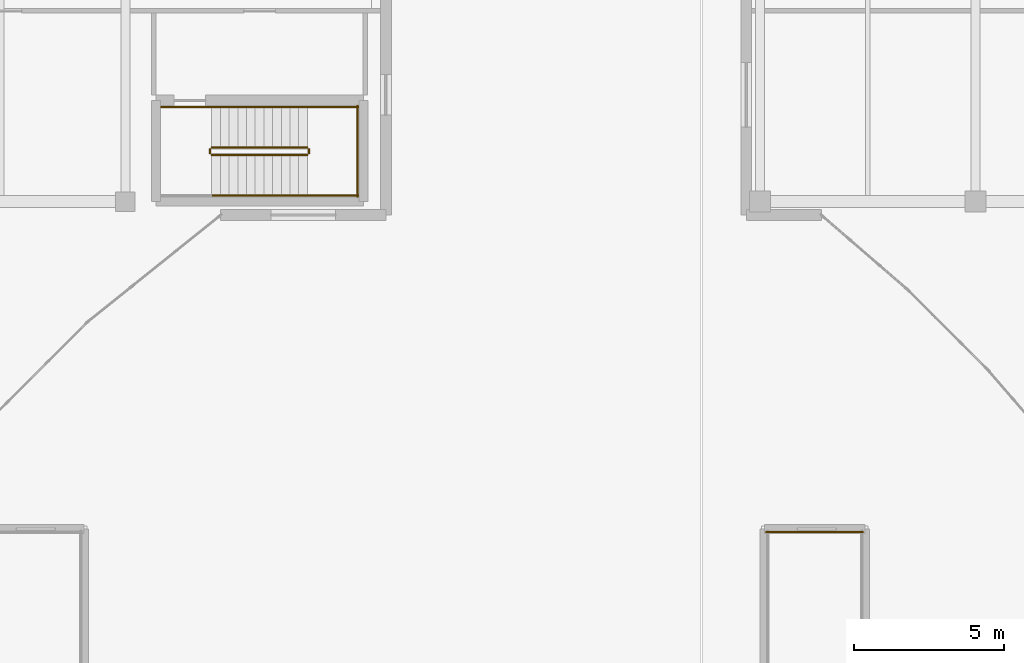
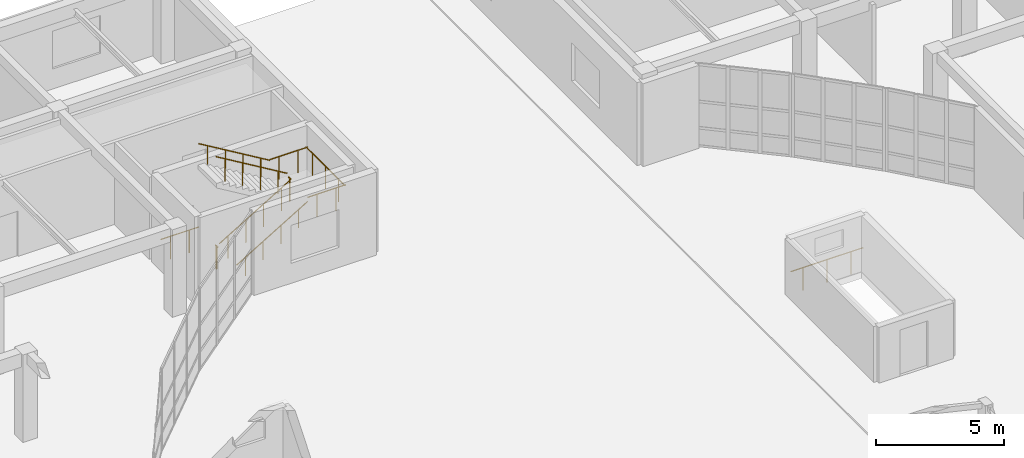
# One storey, part 103 of 114: 11 railings.
"""IFC4 building model written with IfcOpenShell, lengths in metres."""

from ifc_helpers import new_model, si_unit, direction, frame, origin, origin_2d, place, context, subcontext, project, spatial, circle, extrude, material, type_object, element, save


model = new_model("IFC4")

# Units and contexts
model_context = context("Model", 3, precision=1e-05, world=origin(), true_north=direction((0.0, 1.0)))
body_context = subcontext(model_context, "Body", "Model", "MODEL_VIEW")
ifc_project = project(units=[si_unit("LENGTHUNIT", "METRE"), si_unit("AREAUNIT", "SQUARE_METRE"), si_unit("VOLUMEUNIT", "CUBIC_METRE"), si_unit("PLANEANGLEUNIT", "RADIAN"), si_unit("MASSUNIT", "GRAM", prefix="KILO")], contexts=[model_context])

# Site, building, storey
site_placement = place(None, origin())
site = spatial("IfcSite", under=ifc_project, at=site_placement, CompositionType="ELEMENT")
building_placement = place(site_placement, origin())
building = spatial("IfcBuilding", under=site, at=building_placement, Name="Keldmere Railside Commons", CompositionType="ELEMENT")
storey_placement = place(building_placement, origin())
storey = spatial("IfcBuildingStorey", under=building, at=storey_placement, Name="L00", CompositionType="ELEMENT", Elevation=0.0)

# Railings
ifc_material = material(Name="Steel F-24 (S235)", Category="steel")
railing_type_1 = type_object("IfcRailingType", Name="Stair Well Steel Guardrail 1100", PredefinedType="BALUSTRADE", material=ifc_material)
railing_1_placement = place(storey_placement, frame((75.699951171875, 102.0, 0.17333984375)))
element("IfcRailing", 1, at=railing_1_placement, inside=storey, type_object=railing_type_1, Name="L00 ST-C2 stair guard 1", PredefinedType="BALUSTRADE", context=body_context, shape_type="SweptSolid", body=[
    extrude(circle(Radius=0.02392578125, at=origin_2d()), frame((0.0, 0.0, 1.076171875), z_axis=(0.858349611844, 0.0, 0.513065243265), x_axis=(0.0, 1.0, 0.0)), (0.0, 0.0, 1.0), 3.71630859375),
    extrude(circle(Radius=0.02099609375, at=origin_2d()), frame((0.398681640625, 0.0, 0.23828125)), (0.0, 0.0, 1.0), 1.048095703125),
    extrude(circle(Radius=0.02099609375, at=origin_2d()), frame((1.1962890625, 0.0, 0.715087890625)), (0.0, 0.0, 1.0), 1.048095703125),
    extrude(circle(Radius=0.02099609375, at=origin_2d()), frame((1.99365234375, 0.0, 1.191650390625)), (0.0, 0.0, 1.0), 1.048095703125),
    extrude(circle(Radius=0.02099609375, at=origin_2d()), frame((2.791259765625, 0.0, 1.66845703125)), (0.0, 0.0, 1.0), 1.048095703125),
])
railing_2_placement = place(storey_placement, frame((78.93994140625, 102.050048828125, 2.080078125)))
element("IfcRailing", 2, at=railing_2_placement, inside=storey, type_object=railing_type_1, Name="L00 ST-C2 stair guard 2", PredefinedType="BALUSTRADE", context=body_context, shape_type="SweptSolid", body=[
    extrude(circle(Radius=0.02392578125, at=origin_2d()), frame((0.0, 0.0, 1.076171875), z_axis=(0.0, 1.0, 0.0), x_axis=(-1.0, 0.0, 0.0)), (0.0, 0.0, 1.0), 0.14990234375),
    extrude(circle(Radius=0.02099609375, at=origin_2d()), frame((0.0, 0.074951171875, 0.0)), (0.0, 0.0, 1.0), 1.048095703125),
])
for number, where, name in (
    (3, (78.889892578125, 100.64990234375, 2.080078125), "L00 ST-C2 stair guard 3"),
    (4, (78.889892578125, 103.60009765625, 2.080078125), "L00 ST-C2 stair guard 4"),
):
    element("IfcRailing", number, at=place(storey_placement, frame(where)), inside=storey, type_object=railing_type_1, Name=name, PredefinedType="BALUSTRADE", context=body_context, shape_type="SweptSolid", body=[
        extrude(circle(Radius=0.02392578125, at=origin_2d()), frame((0.0, 0.0, 1.076171875), z_axis=(1.0, 0.0, 0.0), x_axis=(0.0, 1.0, 0.0)), (0.0, 0.0, 1.0), 1.710205078125),
        extrude(circle(Radius=0.02099609375, at=origin_2d()), frame((0.427490234375, 0.0, 0.0)), (0.0, 0.0, 1.0), 1.048095703125),
        extrude(circle(Radius=0.02099609375, at=origin_2d()), frame((1.28271484375, 0.0, 0.0)), (0.0, 0.0, 1.0), 1.048095703125),
    ])
railing_3_placement = place(storey_placement, frame((80.550048828125, 100.60009765625, 2.080078125)))
element("IfcRailing", 5, at=railing_3_placement, inside=storey, type_object=railing_type_1, Name="L00 ST-C2 stair guard 5", PredefinedType="BALUSTRADE", context=body_context, shape_type="SweptSolid", body=[
    extrude(circle(Radius=0.02392578125, at=origin_2d()), frame((0.0, 0.0, 1.076171875), z_axis=(0.0, 1.0, 0.0), x_axis=(-1.0, 0.0, 0.0)), (0.0, 0.0, 1.0), 3.0498046875),
    extrude(circle(Radius=0.02099609375, at=origin_2d()), frame((0.0, 0.50830078125, 0.0)), (0.0, 0.0, 1.0), 1.048095703125),
    extrude(circle(Radius=0.02099609375, at=origin_2d()), frame((0.0, 1.52490234375, 0.0)), (0.0, 0.0, 1.0), 1.048095703125),
    extrude(circle(Radius=0.02099609375, at=origin_2d()), frame((0.0, 2.54150390625, 0.0)), (0.0, 0.0, 1.0), 1.048095703125),
])
railing_4_placement = place(storey_placement, frame((78.889892578125, 102.25, 2.25341796875)))
element("IfcRailing", 6, at=railing_4_placement, inside=storey, type_object=railing_type_1, Name="L00 ST-C2 stair guard 6", PredefinedType="BALUSTRADE", context=body_context, shape_type="SweptSolid", body=[
    extrude(circle(Radius=0.02392578125, at=origin_2d()), frame((0.0, 0.0, 1.076171875), z_axis=(-0.858378542117, 0.0, 0.513016840302), x_axis=(0.0, -1.0, 0.0)), (0.0, 0.0, 1.0), 3.71630859375),
    extrude(circle(Radius=0.02099609375, at=origin_2d()), frame((-0.398681640625, 0.0, 0.23828125)), (0.0, 0.0, 1.0), 1.048095703125),
    extrude(circle(Radius=0.02099609375, at=origin_2d()), frame((-1.1962890625, 0.0, 0.71484375)), (0.0, 0.0, 1.0), 1.048095703125),
    extrude(circle(Radius=0.02099609375, at=origin_2d()), frame((-1.99365234375, 0.0, 1.191650390625)), (0.0, 0.0, 1.0), 1.048095703125),
    extrude(circle(Radius=0.02099609375, at=origin_2d()), frame((-2.791259765625, 0.0, 1.668212890625)), (0.0, 0.0, 1.0), 1.048095703125),
])
railing_5_placement = place(storey_placement, frame((75.64990234375, 102.050048828125, 0.0)))
element("IfcRailing", 7, at=railing_5_placement, inside=storey, type_object=railing_type_1, Name="L00 ST-C2 stair guard 7", PredefinedType="BALUSTRADE", context=body_context, shape_type="SweptSolid", body=[
    extrude(circle(Radius=0.02392578125, at=origin_2d()), frame((0.0, 0.0, 1.076171875), z_axis=(0.0, 1.0, 0.0), x_axis=(-1.0, 0.0, 0.0)), (0.0, 0.0, 1.0), 0.14990234375),
    extrude(circle(Radius=0.02099609375, at=origin_2d()), frame((0.0, 0.074951171875, 0.0)), (0.0, 0.0, 1.0), 1.048095703125),
])
railing_6_placement = place(storey_placement, frame((74.0, 103.60009765625, 0.0)))
element("IfcRailing", 8, at=railing_6_placement, inside=storey, type_object=railing_type_1, Name="L00 ST-C2 stair guard 9", PredefinedType="BALUSTRADE", context=body_context, shape_type="SweptSolid", body=[
    extrude(circle(Radius=0.02392578125, at=origin_2d()), frame((0.0, 0.0, 1.076171875), z_axis=(1.0, 0.0, 0.0), x_axis=(0.0, 1.0, 0.0)), (0.0, 0.0, 1.0), 1.699951171875),
    extrude(circle(Radius=0.02099609375, at=origin_2d()), frame((0.425048828125, 0.0, 0.0)), (0.0, 0.0, 1.0), 1.048095703125),
    extrude(circle(Radius=0.02099609375, at=origin_2d()), frame((1.27490234375, 0.0, 0.0)), (0.0, 0.0, 1.0), 1.048095703125),
])
railing_7_placement = place(storey_placement, frame((97.39990234375, 89.449951171875, 0.0)))
element("IfcRailing", 9, at=railing_7_placement, inside=storey, type_object=railing_type_1, Name="L00 ST-B4 top well guard 4", PredefinedType="BALUSTRADE", context=body_context, shape_type="SweptSolid", body=[
    extrude(circle(Radius=0.02392578125, at=origin_2d()), frame((0.0, 0.0, 1.076171875), z_axis=(-1.0, 0.0, 0.0), x_axis=(0.0, -1.0, 0.0)), (0.0, 0.0, 1.0), 3.25),
    extrude(circle(Radius=0.02099609375, at=origin_2d()), frame((-0.541748046875, 0.0, 0.0)), (0.0, 0.0, 1.0), 1.048095703125),
    extrude(circle(Radius=0.02099609375, at=origin_2d()), frame((-1.625, 0.0, 0.0)), (0.0, 0.0, 1.0), 1.048095703125),
    extrude(circle(Radius=0.02099609375, at=origin_2d()), frame((-2.708251953125, 0.0, 0.0)), (0.0, 0.0, 1.0), 1.048095703125),
])
railing_type_2 = type_object("IfcRailingType", Name="Wall-Mounted Tubular Steel Handrail 900", PredefinedType="HANDRAIL", material=ifc_material)
railing_8_placement = place(storey_placement, frame((75.699951171875, 100.64990234375, 0.17333984375)))
element("IfcRailing", 10, at=railing_8_placement, inside=storey, type_object=railing_type_2, Name="L00 ST-C2 stair handrail 1", PredefinedType="HANDRAIL", context=body_context, shape_type="SweptSolid", body=[
    extrude(circle(Radius=0.02392578125, at=origin_2d()), frame((0.0, 0.0, 0.8759765625), z_axis=(0.858349611844, 0.0, 0.513065243265), x_axis=(0.0, 1.0, 0.0)), (0.0, 0.0, 1.0), 3.71630859375),
    extrude(circle(Radius=0.02099609375, at=origin_2d()), frame((0.398681640625, 0.0, 0.23828125)), (0.0, 0.0, 1.0), 0.847900390625),
    extrude(circle(Radius=0.02099609375, at=origin_2d()), frame((1.1962890625, 0.0, 0.715087890625)), (0.0, 0.0, 1.0), 0.847900390625),
    extrude(circle(Radius=0.02099609375, at=origin_2d()), frame((1.99365234375, 0.0, 1.191650390625)), (0.0, 0.0, 1.0), 0.847900390625),
    extrude(circle(Radius=0.02099609375, at=origin_2d()), frame((2.791259765625, 0.0, 1.66845703125)), (0.0, 0.0, 1.0), 0.847900390625),
])
railing_9_placement = place(storey_placement, frame((78.889892578125, 103.60009765625, 2.25341796875)))
element("IfcRailing", 11, at=railing_9_placement, inside=storey, type_object=railing_type_2, Name="L00 ST-C2 stair handrail 2", PredefinedType="HANDRAIL", context=body_context, shape_type="SweptSolid", body=[
    extrude(circle(Radius=0.02392578125, at=origin_2d()), frame((0.0, 0.0, 0.8759765625), z_axis=(-0.858378542117, 0.0, 0.513016840302), x_axis=(0.0, -1.0, 0.0)), (0.0, 0.0, 1.0), 3.71630859375),
    extrude(circle(Radius=0.02099609375, at=origin_2d()), frame((-0.398681640625, 0.0, 0.23828125)), (0.0, 0.0, 1.0), 0.847900390625),
    extrude(circle(Radius=0.02099609375, at=origin_2d()), frame((-1.1962890625, 0.0, 0.71484375)), (0.0, 0.0, 1.0), 0.847900390625),
    extrude(circle(Radius=0.02099609375, at=origin_2d()), frame((-1.99365234375, 0.0, 1.191650390625)), (0.0, 0.0, 1.0), 0.847900390625),
    extrude(circle(Radius=0.02099609375, at=origin_2d()), frame((-2.791259765625, 0.0, 1.668212890625)), (0.0, 0.0, 1.0), 0.847900390625),
])

save(model, "model.ifc")
